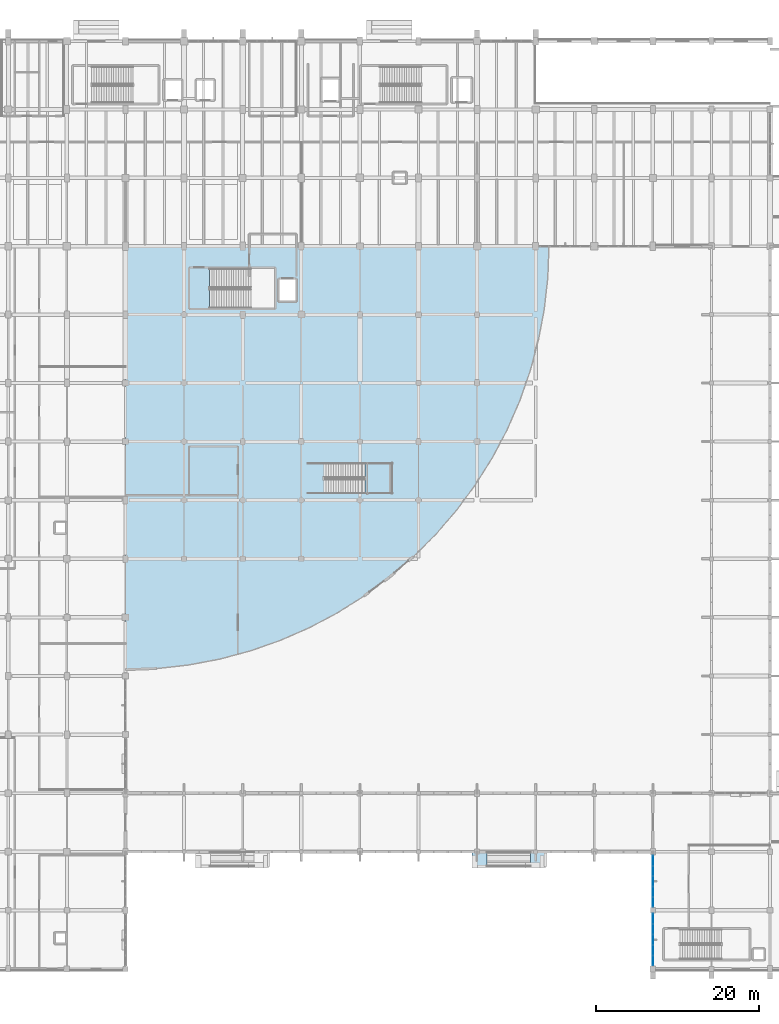
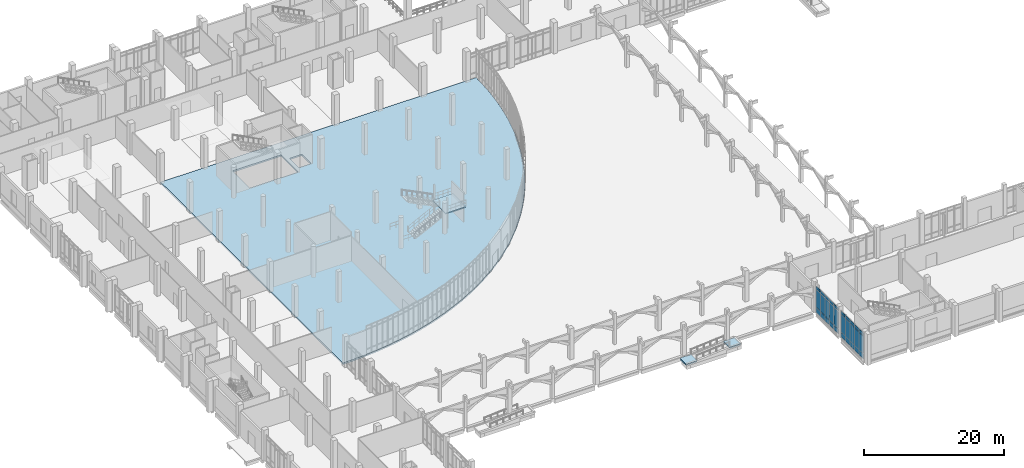
# One storey, part 77 of 110: 30 plates, 4 slabs, 4 elements without a shape of their own.
"""IFC4 building model written with IfcOpenShell, lengths in metres."""

from ifc_helpers import new_model, si_unit, direction, frame, origin, origin_2d, place, context, subcontext, project, spatial, polyline, rectangle, outline, extrude, material, layer, layer_set, type_object, element, aggregate, save


model = new_model("IFC4")

# Units and contexts
model_context = context("Model", 3, precision=1e-05, world=origin(), true_north=direction((0.0, 1.0)))
body_context = subcontext(model_context, "Body", "Model", "MODEL_VIEW")
ifc_project = project(units=[si_unit("LENGTHUNIT", "METRE"), si_unit("AREAUNIT", "SQUARE_METRE"), si_unit("VOLUMEUNIT", "CUBIC_METRE"), si_unit("PLANEANGLEUNIT", "RADIAN"), si_unit("MASSUNIT", "GRAM", prefix="KILO")], contexts=[model_context])

# Site, building, storey
site_placement = place(None, origin())
site = spatial("IfcSite", under=ifc_project, at=site_placement, CompositionType="ELEMENT")
building_placement = place(site_placement, origin())
building = spatial("IfcBuilding", under=site, at=building_placement, Name="Kalluvel Institute of Natural Sciences", CompositionType="ELEMENT")
storey_placement = place(building_placement, origin())
storey = spatial("IfcBuildingStorey", under=building, at=storey_placement, Name="L00", CompositionType="ELEMENT", Elevation=0.0)

# Curtain wall, plates
ifc_material_1 = material(Name="Aluminium AW-6063 T6", Category="aluminium")
curtain_wall_type = type_object("IfcCurtainWallType", Name="CW-SPAV-45", PredefinedType="USERDEFINED", material=ifc_material_1)
curtain_wall_1_placement = place(storey_placement, origin())
curtain_wall_1 = element("IfcCurtainWall", 1, at=curtain_wall_1_placement, inside=storey, type_object=curtain_wall_type, Name="L00 Gothic lancet curtain wall CWA-L00-X1004-Y144", ObjectType="UNITISED LANCET FACADE", PredefinedType="USERDEFINED")
ifc_material_2 = material(Name="Solar-Control Low-E Laminated Glass", Category="glass")
ifc_layer_1 = layer(ifc_material_2, 0.028076171875)
ifc_layer_set_1 = layer_set([ifc_layer_1], Name="Solar-Control Low-E Laminated Glass")
plate_type = type_object("IfcPlateType", Name="CWP-DGU-28", PredefinedType="CURTAIN_PANEL", material=ifc_layer_set_1)
plate_1_placement = place(storey_placement, frame((100.39990234375, 15.058837890625, 0.06494140625), z_axis=(0.0, 0.0, 1.0), x_axis=(0.0, 1.0, 0.0)))
plate_1 = element("IfcPlate", 2, at=plate_1_placement, type_object=plate_type, Name="CW-10 panel 1.1", PredefinedType="CURTAIN_PANEL", context=body_context, shape_type="SweptSolid", body=[
    extrude(rectangle(XDim=1.1875, YDim=0.028076171875, at=origin_2d()), origin(), (0.0, 0.0, 1.0), 0.8525390625),
])
plate_2_placement = place(storey_placement, frame((100.39990234375, 15.058837890625, 0.982421875), z_axis=(0.0, 0.0, 1.0), x_axis=(0.0, 1.0, 0.0)))
plate_2 = element("IfcPlate", 3, at=plate_2_placement, type_object=plate_type, Name="CW-10 panel 1.2", PredefinedType="CURTAIN_PANEL", context=body_context, shape_type="SweptSolid", body=[
    extrude(rectangle(XDim=1.1875, YDim=0.028076171875, at=origin_2d()), origin(), (0.0, 0.0, 1.0), 3.034912109375),
])
plate_3_placement = place(storey_placement, frame((100.39990234375, 15.058837890625, 4.08251953125), z_axis=(0.0, 0.0, 1.0), x_axis=(0.0, 1.0, 0.0)))
plate_3 = element("IfcPlate", 4, at=plate_3_placement, type_object=plate_type, Name="CW-10 panel 1.3", PredefinedType="CURTAIN_PANEL", context=body_context, shape_type="SweptSolid", body=[
    extrude(rectangle(XDim=1.1875, YDim=0.028076171875, at=origin_2d()), origin(), (0.0, 0.0, 1.0), 0.552490234375),
])
plate_4_placement = place(storey_placement, frame((100.39990234375, 16.327392578125, 0.06494140625), z_axis=(0.0, 0.0, 1.0), x_axis=(0.0, 1.0, 0.0)))
plate_4 = element("IfcPlate", 5, at=plate_4_placement, type_object=plate_type, Name="CW-10 panel 2.1", PredefinedType="CURTAIN_PANEL", context=body_context, shape_type="SweptSolid", body=[
    extrude(rectangle(XDim=1.219970703125, YDim=0.028076171875, at=origin_2d()), origin(), (0.0, 0.0, 1.0), 0.8525390625),
])
plate_5_placement = place(storey_placement, frame((100.39990234375, 16.327392578125, 0.982421875), z_axis=(0.0, 0.0, 1.0), x_axis=(0.0, 1.0, 0.0)))
plate_5 = element("IfcPlate", 6, at=plate_5_placement, type_object=plate_type, Name="CW-10 panel 2.2", PredefinedType="CURTAIN_PANEL", context=body_context, shape_type="SweptSolid", body=[
    extrude(rectangle(XDim=1.219970703125, YDim=0.028076171875, at=origin_2d()), origin(), (0.0, 0.0, 1.0), 3.034912109375),
])
plate_6_placement = place(storey_placement, frame((100.39990234375, 16.327392578125, 4.08251953125), z_axis=(0.0, 0.0, 1.0), x_axis=(0.0, 1.0, 0.0)))
plate_6 = element("IfcPlate", 7, at=plate_6_placement, type_object=plate_type, Name="CW-10 panel 2.3", PredefinedType="CURTAIN_PANEL", context=body_context, shape_type="SweptSolid", body=[
    extrude(rectangle(XDim=1.219970703125, YDim=0.028076171875, at=origin_2d()), origin(), (0.0, 0.0, 1.0), 0.552490234375),
])
plate_7_placement = place(storey_placement, frame((100.39990234375, 17.612548828125, 0.06494140625), z_axis=(0.0, 0.0, 1.0), x_axis=(0.0, 1.0, 0.0)))
plate_7 = element("IfcPlate", 8, at=plate_7_placement, type_object=plate_type, Name="CW-10 panel 3.1", PredefinedType="CURTAIN_PANEL", context=body_context, shape_type="SweptSolid", body=[
    extrude(rectangle(XDim=1.219970703125, YDim=0.028076171875, at=origin_2d()), origin(), (0.0, 0.0, 1.0), 0.8525390625),
])
plate_8_placement = place(storey_placement, frame((100.39990234375, 17.612548828125, 0.982421875), z_axis=(0.0, 0.0, 1.0), x_axis=(0.0, 1.0, 0.0)))
plate_8 = element("IfcPlate", 9, at=plate_8_placement, type_object=plate_type, Name="CW-10 panel 3.2", PredefinedType="CURTAIN_PANEL", context=body_context, shape_type="SweptSolid", body=[
    extrude(rectangle(XDim=1.219970703125, YDim=0.028076171875, at=origin_2d()), origin(), (0.0, 0.0, 1.0), 3.034912109375),
])
plate_9_placement = place(storey_placement, frame((100.39990234375, 17.612548828125, 4.08251953125), z_axis=(0.0, 0.0, 1.0), x_axis=(0.0, 1.0, 0.0)))
plate_9 = element("IfcPlate", 10, at=plate_9_placement, type_object=plate_type, Name="CW-10 panel 3.3", PredefinedType="CURTAIN_PANEL", context=body_context, shape_type="SweptSolid", body=[
    extrude(rectangle(XDim=1.219970703125, YDim=0.028076171875, at=origin_2d()), origin(), (0.0, 0.0, 1.0), 0.552490234375),
])
plate_10_placement = place(storey_placement, frame((100.39990234375, 18.8974609375, 0.06494140625), z_axis=(0.0, 0.0, 1.0), x_axis=(0.0, 1.0, 0.0)))
plate_10 = element("IfcPlate", 11, at=plate_10_placement, type_object=plate_type, Name="CW-10 panel 4.1", PredefinedType="CURTAIN_PANEL", context=body_context, shape_type="SweptSolid", body=[
    extrude(rectangle(XDim=1.219970703125, YDim=0.028076171875, at=origin_2d()), origin(), (0.0, 0.0, 1.0), 0.8525390625),
])
plate_11_placement = place(storey_placement, frame((100.39990234375, 18.8974609375, 0.982421875), z_axis=(0.0, 0.0, 1.0), x_axis=(0.0, 1.0, 0.0)))
plate_11 = element("IfcPlate", 12, at=plate_11_placement, type_object=plate_type, Name="CW-10 panel 4.2", PredefinedType="CURTAIN_PANEL", context=body_context, shape_type="SweptSolid", body=[
    extrude(rectangle(XDim=1.219970703125, YDim=0.028076171875, at=origin_2d()), origin(), (0.0, 0.0, 1.0), 3.034912109375),
])
plate_12_placement = place(storey_placement, frame((100.39990234375, 18.8974609375, 4.08251953125), z_axis=(0.0, 0.0, 1.0), x_axis=(0.0, 1.0, 0.0)))
plate_12 = element("IfcPlate", 13, at=plate_12_placement, type_object=plate_type, Name="CW-10 panel 4.3", PredefinedType="CURTAIN_PANEL", context=body_context, shape_type="SweptSolid", body=[
    extrude(rectangle(XDim=1.219970703125, YDim=0.028076171875, at=origin_2d()), origin(), (0.0, 0.0, 1.0), 0.552490234375),
])
plate_13_placement = place(storey_placement, frame((100.39990234375, 20.166259765625, 0.06494140625), z_axis=(0.0, 0.0, 1.0), x_axis=(0.0, 1.0, 0.0)))
plate_13 = element("IfcPlate", 14, at=plate_13_placement, type_object=plate_type, Name="CW-10 panel 5.1", PredefinedType="CURTAIN_PANEL", context=body_context, shape_type="SweptSolid", body=[
    extrude(rectangle(XDim=1.1875, YDim=0.028076171875, at=origin_2d()), origin(), (0.0, 0.0, 1.0), 0.8525390625),
])
plate_14_placement = place(storey_placement, frame((100.39990234375, 20.166259765625, 0.982421875), z_axis=(0.0, 0.0, 1.0), x_axis=(0.0, 1.0, 0.0)))
plate_14 = element("IfcPlate", 15, at=plate_14_placement, type_object=plate_type, Name="CW-10 panel 5.2", PredefinedType="CURTAIN_PANEL", context=body_context, shape_type="SweptSolid", body=[
    extrude(rectangle(XDim=1.1875, YDim=0.028076171875, at=origin_2d()), origin(), (0.0, 0.0, 1.0), 3.034912109375),
])
plate_15_placement = place(storey_placement, frame((100.39990234375, 20.166259765625, 4.08251953125), z_axis=(0.0, 0.0, 1.0), x_axis=(0.0, 1.0, 0.0)))
plate_15 = element("IfcPlate", 16, at=plate_15_placement, type_object=plate_type, Name="CW-10 panel 5.3", PredefinedType="CURTAIN_PANEL", context=body_context, shape_type="SweptSolid", body=[
    extrude(rectangle(XDim=1.1875, YDim=0.028076171875, at=origin_2d()), origin(), (0.0, 0.0, 1.0), 0.552490234375),
])
aggregate(curtain_wall_1, [plate_1, plate_2, plate_3, plate_4, plate_5, plate_6, plate_7, plate_8, plate_9, plate_10, plate_11, plate_12, plate_13, plate_14, plate_15])

curtain_wall_2_placement = place(storey_placement, origin())
curtain_wall_2 = element("IfcCurtainWall", 17, at=curtain_wall_2_placement, inside=storey, type_object=curtain_wall_type, Name="L00 Gothic lancet curtain wall CWA-L00-X1004-Y216", ObjectType="UNITISED LANCET FACADE", PredefinedType="USERDEFINED")
plate_16_placement = place(storey_placement, frame((100.39990234375, 22.228759765625, 0.06494140625), z_axis=(0.0, 0.0, 1.0), x_axis=(0.0, 1.0, 0.0)))
plate_16 = element("IfcPlate", 18, at=plate_16_placement, type_object=plate_type, Name="CW-10 panel 1.1", PredefinedType="CURTAIN_PANEL", context=body_context, shape_type="SweptSolid", body=[
    extrude(rectangle(XDim=1.177490234375, YDim=0.028076171875, at=origin_2d()), origin(), (0.0, 0.0, 1.0), 0.8525390625),
])
plate_17_placement = place(storey_placement, frame((100.39990234375, 22.228759765625, 0.982421875), z_axis=(0.0, 0.0, 1.0), x_axis=(0.0, 1.0, 0.0)))
plate_17 = element("IfcPlate", 19, at=plate_17_placement, type_object=plate_type, Name="CW-10 panel 1.2", PredefinedType="CURTAIN_PANEL", context=body_context, shape_type="SweptSolid", body=[
    extrude(rectangle(XDim=1.177490234375, YDim=0.028076171875, at=origin_2d()), origin(), (0.0, 0.0, 1.0), 3.034912109375),
])
plate_18_placement = place(storey_placement, frame((100.39990234375, 22.228759765625, 4.08251953125), z_axis=(0.0, 0.0, 1.0), x_axis=(0.0, 1.0, 0.0)))
plate_18 = element("IfcPlate", 20, at=plate_18_placement, type_object=plate_type, Name="CW-10 panel 1.3", PredefinedType="CURTAIN_PANEL", context=body_context, shape_type="SweptSolid", body=[
    extrude(rectangle(XDim=1.177490234375, YDim=0.028076171875, at=origin_2d()), origin(), (0.0, 0.0, 1.0), 0.552490234375),
])
plate_19_placement = place(storey_placement, frame((100.39990234375, 23.487548828125, 0.06494140625), z_axis=(0.0, 0.0, 1.0), x_axis=(0.0, 1.0, 0.0)))
plate_19 = element("IfcPlate", 21, at=plate_19_placement, type_object=plate_type, Name="CW-10 panel 2.1", PredefinedType="CURTAIN_PANEL", context=body_context, shape_type="SweptSolid", body=[
    extrude(rectangle(XDim=1.2099609375, YDim=0.028076171875, at=origin_2d()), origin(), (0.0, 0.0, 1.0), 0.8525390625),
])
plate_20_placement = place(storey_placement, frame((100.39990234375, 23.487548828125, 0.982421875), z_axis=(0.0, 0.0, 1.0), x_axis=(0.0, 1.0, 0.0)))
plate_20 = element("IfcPlate", 22, at=plate_20_placement, type_object=plate_type, Name="CW-10 panel 2.2", PredefinedType="CURTAIN_PANEL", context=body_context, shape_type="SweptSolid", body=[
    extrude(rectangle(XDim=1.2099609375, YDim=0.028076171875, at=origin_2d()), origin(), (0.0, 0.0, 1.0), 3.034912109375),
])
plate_21_placement = place(storey_placement, frame((100.39990234375, 23.487548828125, 4.08251953125), z_axis=(0.0, 0.0, 1.0), x_axis=(0.0, 1.0, 0.0)))
plate_21 = element("IfcPlate", 23, at=plate_21_placement, type_object=plate_type, Name="CW-10 panel 2.3", PredefinedType="CURTAIN_PANEL", context=body_context, shape_type="SweptSolid", body=[
    extrude(rectangle(XDim=1.2099609375, YDim=0.028076171875, at=origin_2d()), origin(), (0.0, 0.0, 1.0), 0.552490234375),
])
plate_22_placement = place(storey_placement, frame((100.39990234375, 24.762451171875, 0.06494140625), z_axis=(0.0, 0.0, 1.0), x_axis=(0.0, 1.0, 0.0)))
plate_22 = element("IfcPlate", 24, at=plate_22_placement, type_object=plate_type, Name="CW-10 panel 3.1", PredefinedType="CURTAIN_PANEL", context=body_context, shape_type="SweptSolid", body=[
    extrude(rectangle(XDim=1.2099609375, YDim=0.028076171875, at=origin_2d()), origin(), (0.0, 0.0, 1.0), 0.8525390625),
])
plate_23_placement = place(storey_placement, frame((100.39990234375, 24.762451171875, 0.982421875), z_axis=(0.0, 0.0, 1.0), x_axis=(0.0, 1.0, 0.0)))
plate_23 = element("IfcPlate", 25, at=plate_23_placement, type_object=plate_type, Name="CW-10 panel 3.2", PredefinedType="CURTAIN_PANEL", context=body_context, shape_type="SweptSolid", body=[
    extrude(rectangle(XDim=1.2099609375, YDim=0.028076171875, at=origin_2d()), origin(), (0.0, 0.0, 1.0), 3.034912109375),
])
plate_24_placement = place(storey_placement, frame((100.39990234375, 24.762451171875, 4.08251953125), z_axis=(0.0, 0.0, 1.0), x_axis=(0.0, 1.0, 0.0)))
plate_24 = element("IfcPlate", 26, at=plate_24_placement, type_object=plate_type, Name="CW-10 panel 3.3", PredefinedType="CURTAIN_PANEL", context=body_context, shape_type="SweptSolid", body=[
    extrude(rectangle(XDim=1.2099609375, YDim=0.028076171875, at=origin_2d()), origin(), (0.0, 0.0, 1.0), 0.552490234375),
])
plate_25_placement = place(storey_placement, frame((100.39990234375, 26.03759765625, 0.06494140625), z_axis=(0.0, 0.0, 1.0), x_axis=(0.0, 1.0, 0.0)))
plate_25 = element("IfcPlate", 27, at=plate_25_placement, type_object=plate_type, Name="CW-10 panel 4.1", PredefinedType="CURTAIN_PANEL", context=body_context, shape_type="SweptSolid", body=[
    extrude(rectangle(XDim=1.2099609375, YDim=0.028076171875, at=origin_2d()), origin(), (0.0, 0.0, 1.0), 0.8525390625),
])
plate_26_placement = place(storey_placement, frame((100.39990234375, 26.03759765625, 0.982421875), z_axis=(0.0, 0.0, 1.0), x_axis=(0.0, 1.0, 0.0)))
plate_26 = element("IfcPlate", 28, at=plate_26_placement, type_object=plate_type, Name="CW-10 panel 4.2", PredefinedType="CURTAIN_PANEL", context=body_context, shape_type="SweptSolid", body=[
    extrude(rectangle(XDim=1.2099609375, YDim=0.028076171875, at=origin_2d()), origin(), (0.0, 0.0, 1.0), 3.034912109375),
])
plate_27_placement = place(storey_placement, frame((100.39990234375, 26.03759765625, 4.08251953125), z_axis=(0.0, 0.0, 1.0), x_axis=(0.0, 1.0, 0.0)))
plate_27 = element("IfcPlate", 29, at=plate_27_placement, type_object=plate_type, Name="CW-10 panel 4.3", PredefinedType="CURTAIN_PANEL", context=body_context, shape_type="SweptSolid", body=[
    extrude(rectangle(XDim=1.2099609375, YDim=0.028076171875, at=origin_2d()), origin(), (0.0, 0.0, 1.0), 0.552490234375),
])
plate_28_placement = place(storey_placement, frame((100.39990234375, 27.296142578125, 0.06494140625), z_axis=(0.0, 0.0, 1.0), x_axis=(0.0, 1.0, 0.0)))
plate_28 = element("IfcPlate", 30, at=plate_28_placement, type_object=plate_type, Name="CW-10 panel 5.1", PredefinedType="CURTAIN_PANEL", context=body_context, shape_type="SweptSolid", body=[
    extrude(rectangle(XDim=1.177490234375, YDim=0.028076171875, at=origin_2d()), origin(), (0.0, 0.0, 1.0), 0.8525390625),
])
plate_29_placement = place(storey_placement, frame((100.39990234375, 27.296142578125, 0.982421875), z_axis=(0.0, 0.0, 1.0), x_axis=(0.0, 1.0, 0.0)))
plate_29 = element("IfcPlate", 31, at=plate_29_placement, type_object=plate_type, Name="CW-10 panel 5.2", PredefinedType="CURTAIN_PANEL", context=body_context, shape_type="SweptSolid", body=[
    extrude(rectangle(XDim=1.177490234375, YDim=0.028076171875, at=origin_2d()), origin(), (0.0, 0.0, 1.0), 3.034912109375),
])
plate_30_placement = place(storey_placement, frame((100.39990234375, 27.296142578125, 4.08251953125), z_axis=(0.0, 0.0, 1.0), x_axis=(0.0, 1.0, 0.0)))
plate_30 = element("IfcPlate", 32, at=plate_30_placement, type_object=plate_type, Name="CW-10 panel 5.3", PredefinedType="CURTAIN_PANEL", context=body_context, shape_type="SweptSolid", body=[
    extrude(rectangle(XDim=1.177490234375, YDim=0.028076171875, at=origin_2d()), origin(), (0.0, 0.0, 1.0), 0.552490234375),
])
aggregate(curtain_wall_2, [plate_16, plate_17, plate_18, plate_19, plate_20, plate_21, plate_22, plate_23, plate_24, plate_25, plate_26, plate_27, plate_28, plate_29, plate_30])

# Ramp, slabs
ifc_material_3 = material(Name="Concrete M40", Category="concrete")
ramp_type = type_object("IfcRampType", Name="RMP-ACC-180", PredefinedType="STRAIGHT_RUN_RAMP", material=ifc_material_3)
ramp_placement = place(storey_placement, origin())
ramp = element("IfcRamp", 33, at=ramp_placement, inside=storey, type_object=ramp_type, Name="South Cloister East accessible entrance ramp R3", PredefinedType="STRAIGHT_RUN_RAMP")
ifc_layer_2 = layer(ifc_material_3, 0.219970703125)
ifc_layer_set_2 = layer_set([ifc_layer_2], Name="Concrete M40")
slab_type_1 = type_object("IfcSlabType", Name="RML-ACC-220", PredefinedType="LANDING", material=ifc_layer_set_2)
slab_1_placement = place(storey_placement, frame((0.0, 0.0, -0.669921875)))
slab_1 = element("IfcSlab", 34, at=slab_1_placement, type_object=slab_type_1, Name="South Cloister East accessible entrance ramp R3 landing 1", PredefinedType="LANDING", context=body_context, shape_type="SweptSolid", body=[
    extrude(outline(polyline([(78.199951171875, 26.60009765625), (80.030029296875, 26.60009765625), (80.030029296875, 28.39990234375), (78.199951171875, 28.39990234375), (78.199951171875, 26.60009765625)])), origin(), (0.0, 0.0, 1.0), 0.219970703125),
])
slab_2_placement = place(storey_placement, frame((0.0, 0.0, -0.219970703125)))
slab_2 = element("IfcSlab", 35, at=slab_2_placement, type_object=slab_type_1, Name="South Cloister East accessible entrance ramp R3 landing 2", PredefinedType="LANDING", context=body_context, shape_type="SweptSolid", body=[
    extrude(outline(polyline([(85.3701171875, 26.60009765625), (87.199951171875, 26.60009765625), (87.199951171875, 28.39990234375), (85.3701171875, 28.39990234375), (85.3701171875, 26.60009765625)])), origin(), (0.0, 0.0, 1.0), 0.219970703125),
])
aggregate(ramp, [slab_1, slab_2])

# Slab
ifc_layer_3 = layer(ifc_material_3, 0.280029296875)
ifc_layer_set_3 = layer_set([ifc_layer_3], Name="Concrete M40")
slab_type_2 = type_object("IfcSlabType", Name="SLB-ATR-280", PredefinedType="FLOOR", material=ifc_layer_set_3)
slab_3_placement = place(storey_placement, frame((0.0, 0.0, -0.280029296875)))
element("IfcSlab", 36, at=slab_3_placement, inside=storey, type_object=slab_type_2, Name="L00 Interaction Atrium Gallery Slab", PredefinedType="FLOOR", context=body_context, shape_type="SweptSolid", body=[
    extrude(outline(polyline([(35.60009765625, 102.800048828125), (35.60009765625, 50.800048828125), (37.544189453125, 50.83642578125), (39.486083984375, 50.9453125), (41.422119140625, 51.126953125), (43.35009765625, 51.380859375), (45.267333984375, 51.70654296875), (47.171142578125, 52.103759765625), (49.05859375, 52.572021484375), (50.92724609375, 53.110107421875), (52.7744140625, 53.718017578125), (54.59765625, 54.39453125), (56.394287109375, 55.138916015625), (58.162109375, 55.94970703125), (59.89794921875, 56.825927734375), (61.60009765625, 57.7666015625), (63.265625, 58.770263671875), (64.892578125, 59.835693359375), (66.478515625, 60.9609375), (68.021484375, 62.144775390625), (69.518798828125, 63.385498046875), (70.968994140625, 64.681396484375), (72.36962890625, 66.030517578125), (73.71875, 67.430908203125), (75.014404296875, 68.881103515625), (76.255126953125, 70.37841796875), (77.439208984375, 71.92138671875), (78.564453125, 73.50732421875), (79.629638671875, 75.13427734375), (80.63330078125, 76.800048828125), (81.573974609375, 78.501953125), (82.450439453125, 80.238037109375), (83.26123046875, 82.005615234375), (84.00537109375, 83.80224609375), (84.681884765625, 85.62548828125), (85.289794921875, 87.47265625), (85.828125, 89.34130859375), (86.29638671875, 91.22900390625), (86.693603515625, 93.132568359375), (87.019287109375, 95.0498046875), (87.27294921875, 96.977783203125), (87.45458984375, 98.9140625), (87.563720703125, 100.855712890625), (87.60009765625, 102.800048828125), (35.60009765625, 102.800048828125)]), holes=[polyline([(45.91796875, 95.199951171875), (53.89990234375, 95.199951171875), (53.89990234375, 100.070068359375), (45.91796875, 100.070068359375), (45.91796875, 95.199951171875)]), polyline([(54.47998046875, 96.080078125), (56.52001953125, 96.080078125), (56.52001953125, 98.719970703125), (54.47998046875, 98.719970703125), (54.47998046875, 96.080078125)])]), origin(), (0.0, 0.0, 1.0), 0.280029296875),
])

# Stair, slab
stair_type = type_object("IfcStairType", Name="STR-ST6-54", PredefinedType="HALF_TURN_STAIR", material=ifc_material_3)
stair_placement = place(storey_placement, origin())
stair = element("IfcStair", 37, at=stair_placement, inside=storey, type_object=stair_type, Name="L00 Interaction Atrium Feature Stair ST6", PredefinedType="HALF_TURN_STAIR")
ifc_layer_4 = layer(ifc_material_3, 0.199951171875)
ifc_layer_set_4 = layer_set([ifc_layer_4], Name="Concrete M40")
slab_type_3 = type_object("IfcSlabType", Name="SLD-ST6", PredefinedType="LANDING", material=ifc_layer_set_4)
slab_4_placement = place(storey_placement, frame((0.0, 0.0, 2.5)))
slab_4 = element("IfcSlab", 38, at=slab_4_placement, type_object=slab_type_3, Name="S6-54 landing 1", PredefinedType="LANDING", context=body_context, shape_type="SweptSolid", body=[
    extrude(outline(polyline([(65.031982421875, 72.39990234375), (68.39990234375, 72.39990234375), (68.39990234375, 76.14990234375), (65.031982421875, 76.14990234375), (65.031982421875, 72.39990234375)])), origin(), (0.0, 0.0, 1.0), 0.199951171875),
])
aggregate(stair, [slab_4])

save(model, "model.ifc")
